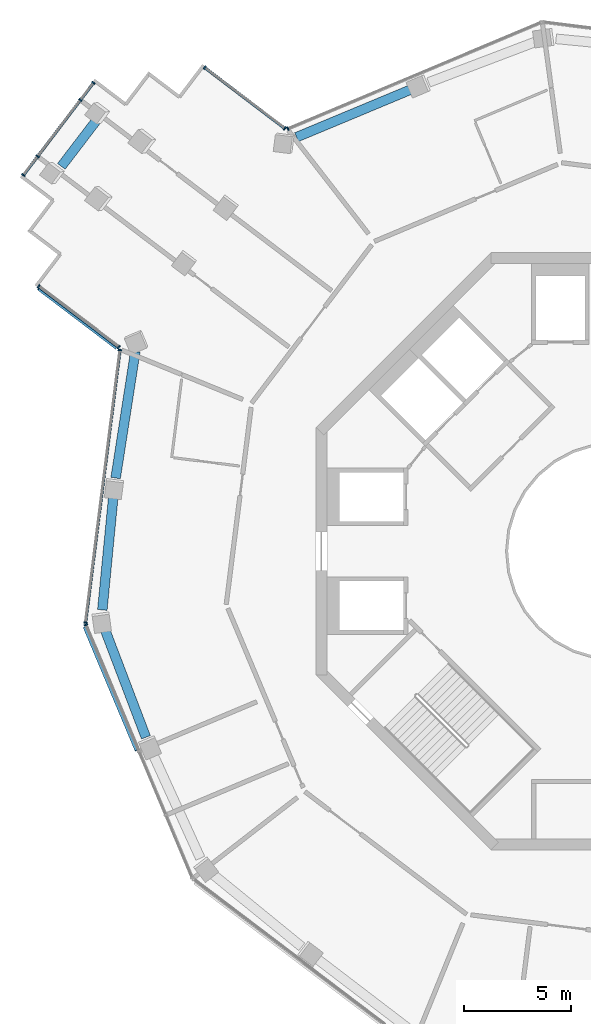
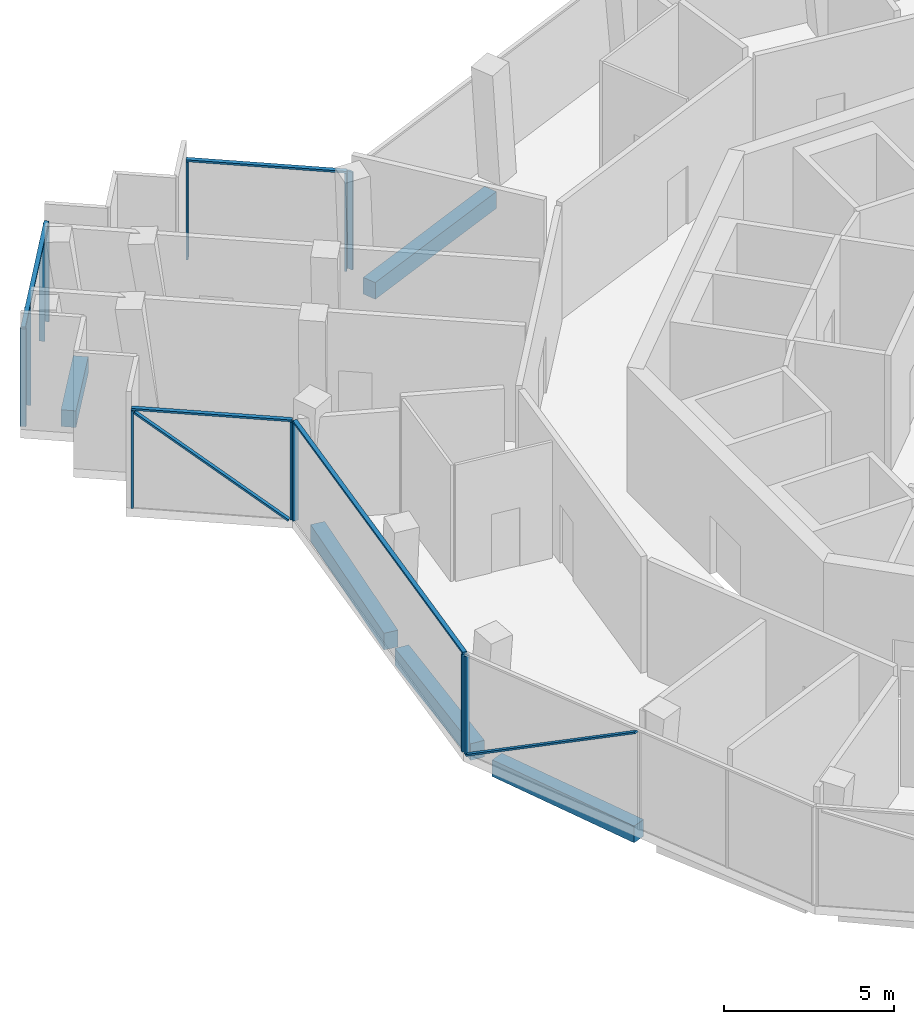
# One storey, part 5 of 18: 18 members, 5 beams, 6 elements without a shape of their own.
"""IFC4 building model written with IfcOpenShell, lengths in metres."""

from ifc_helpers import new_model, si_unit, direction, frame, origin, origin_2d, place, context, subcontext, project, spatial, rectangle, extrude, material, layer, layer_set, material_profile, profile_set, type_object, element, aggregate, save


model = new_model("IFC4")

# Units and contexts
model_context = context("Model", 3, precision=1e-05, world=origin(), true_north=direction((0.0, 1.0)))
body_context = subcontext(model_context, "Body", "Model", "MODEL_VIEW")
ifc_project = project(units=[si_unit("LENGTHUNIT", "METRE"), si_unit("AREAUNIT", "SQUARE_METRE"), si_unit("VOLUMEUNIT", "CUBIC_METRE"), si_unit("PLANEANGLEUNIT", "RADIAN"), si_unit("MASSUNIT", "GRAM", prefix="KILO")], contexts=[model_context])

# Site, building, storey
site_placement = place(None, origin())
site = spatial("IfcSite", under=ifc_project, at=site_placement, CompositionType="ELEMENT")
building_placement = place(site_placement, origin())
building = spatial("IfcBuilding", under=site, at=building_placement, Name="Verdalira Terraces Hotel", CompositionType="ELEMENT")
storey_placement = place(building_placement, frame((0.0, 0.0, 248.0)))
storey = spatial("IfcBuildingStorey", under=building, at=storey_placement, Name="L61", CompositionType="ELEMENT", Elevation=248.0)

# Curtain wall, members
ifc_material_1 = material(Name="Clear glass", Category="glass")
ifc_layer = layer(ifc_material_1, 0.179931640625)
ifc_layer_set = layer_set([ifc_layer], Name="CW4 curtain wall")
curtain_wall_type = type_object("IfcCurtainWallType", Name="CW4 curtain wall", PredefinedType="NOTDEFINED", material=ifc_layer_set)
curtain_wall_1_placement = place(storey_placement, origin())
curtain_wall_1 = element("IfcCurtainWall", 1, at=curtain_wall_1_placement, inside=storey, type_object=curtain_wall_type, Name="CW4 curtain wall L61 edge 0", PredefinedType="NOTDEFINED")
ifc_material_2 = material(Name="Terracotta frame", Category="masonry")
ifc_material_profile_1 = material_profile(ifc_material_2, rectangle(XDim=0.064941, YDim=0.179932, at=origin_2d()), Name="MU 65x180")
ifc_profile_set_1 = profile_set([ifc_material_profile_1], Name="Terracotta frame")
member_type_1 = type_object("IfcMemberType", Name="CW4 mullion 65x180", PredefinedType="MULLION", material=ifc_profile_set_1)
member_1_placement = place(storey_placement, frame((-15.468506, 19.826416, 0.0), z_axis=(0.0, 0.0, 1.0), x_axis=(-0.796529918, 0.604599115, 0.0)))
member_1 = element("IfcMember", 2, at=member_1_placement, type_object=member_type_1, Name="CW4 mullion", PredefinedType="MULLION", context=body_context, shape_type="SweptSolid", body=[
    extrude(rectangle(XDim=0.064941, YDim=0.179932, at=origin_2d()), origin(), (0.0, 0.0, 1.0), 3.52002),
])
member_2_placement = place(storey_placement, frame((-19.223877, 22.676758, 0.0), z_axis=(0.0, 0.0, 1.0), x_axis=(-0.796529918, 0.604599115, 0.0)))
member_2 = element("IfcMember", 3, at=member_2_placement, type_object=member_type_1, Name="CW4 mullion", PredefinedType="MULLION", context=body_context, shape_type="SweptSolid", body=[
    extrude(rectangle(XDim=0.064941, YDim=0.179932, at=origin_2d()), origin(), (0.0, 0.0, 1.0), 3.52002),
])

curtain_wall_2_placement = place(storey_placement, origin())
curtain_wall_2 = element("IfcCurtainWall", 4, at=curtain_wall_2_placement, inside=storey, type_object=curtain_wall_type, Name="CW4 curtain wall L61 edge 5", PredefinedType="NOTDEFINED")
member_3_placement = place(storey_placement, frame((-24.439697, 21.962402, 0.0), z_axis=(0.0, 0.0, 1.0), x_axis=(-0.604599115, -0.796529918, 0.0)))
member_3 = element("IfcMember", 5, at=member_3_placement, type_object=member_type_1, Name="CW4 mullion", PredefinedType="MULLION", context=body_context, shape_type="SweptSolid", body=[
    extrude(rectangle(XDim=0.064941, YDim=0.179932, at=origin_2d()), origin(), (0.0, 0.0, 1.0), 3.52002),
])
member_4_placement = place(storey_placement, frame((-25.052246, 21.155273, 0.0), z_axis=(0.0, 0.0, 1.0), x_axis=(-0.604599115, -0.796529918, 0.0)))
member_4 = element("IfcMember", 6, at=member_4_placement, type_object=member_type_1, Name="CW4 mullion", PredefinedType="MULLION", context=body_context, shape_type="SweptSolid", body=[
    extrude(rectangle(XDim=0.064941, YDim=0.179932, at=origin_2d()), origin(), (0.0, 0.0, 1.0), 3.52002),
])
member_5_placement = place(storey_placement, frame((-27.056396, 18.515137, 0.0), z_axis=(0.0, 0.0, 1.0), x_axis=(-0.604599115, -0.796529918, 0.0)))
member_5 = element("IfcMember", 7, at=member_5_placement, type_object=member_type_1, Name="CW4 mullion", PredefinedType="MULLION", context=body_context, shape_type="SweptSolid", body=[
    extrude(rectangle(XDim=0.064941, YDim=0.179932, at=origin_2d()), origin(), (0.0, 0.0, 1.0), 3.52002),
])
member_6_placement = place(storey_placement, frame((-27.725586, 17.633301, 0.0), z_axis=(0.0, 0.0, 1.0), x_axis=(-0.604599115, -0.796529918, 0.0)))
member_6 = element("IfcMember", 8, at=member_6_placement, type_object=member_type_1, Name="CW4 mullion", PredefinedType="MULLION", context=body_context, shape_type="SweptSolid", body=[
    extrude(rectangle(XDim=0.064941, YDim=0.179932, at=origin_2d()), origin(), (0.0, 0.0, 1.0), 3.52002),
])

curtain_wall_3_placement = place(storey_placement, origin())
curtain_wall_3 = element("IfcCurtainWall", 9, at=curtain_wall_3_placement, inside=storey, type_object=curtain_wall_type, Name="CW4 curtain wall L61 edge 10", PredefinedType="NOTDEFINED")
member_7_placement = place(storey_placement, frame((-27.01123, 12.41748, 0.0), z_axis=(0.0, 0.0, 1.0), x_axis=(0.796529918, -0.604599115, 0.0)))
member_7 = element("IfcMember", 10, at=member_7_placement, type_object=member_type_1, Name="CW4 mullion", PredefinedType="MULLION", context=body_context, shape_type="SweptSolid", body=[
    extrude(rectangle(XDim=0.064941, YDim=0.179932, at=origin_2d()), origin(), (0.0, 0.0, 1.0), 3.52002),
])
member_8_placement = place(storey_placement, frame((-23.255859, 9.567139, 0.0), z_axis=(0.0, 0.0, 1.0), x_axis=(0.796529918, -0.604599115, 0.0)))
member_8 = element("IfcMember", 11, at=member_8_placement, type_object=member_type_1, Name="CW4 mullion", PredefinedType="MULLION", context=body_context, shape_type="SweptSolid", body=[
    extrude(rectangle(XDim=0.064941, YDim=0.179932, at=origin_2d()), origin(), (0.0, 0.0, 1.0), 3.52002),
])

curtain_wall_4_placement = place(storey_placement, origin())
curtain_wall_4 = element("IfcCurtainWall", 12, at=curtain_wall_4_placement, inside=storey, type_object=curtain_wall_type, Name="CW4 curtain wall L61 edge 11", PredefinedType="NOTDEFINED")
member_9_placement = place(storey_placement, frame((-23.199219, 9.432129, 0.0), z_axis=(0.0, 0.0, 1.0), x_axis=(-0.125333234, -0.992114701, 0.0)))
member_9 = element("IfcMember", 13, at=member_9_placement, type_object=member_type_1, Name="CW4 mullion", PredefinedType="MULLION", context=body_context, shape_type="SweptSolid", body=[
    extrude(rectangle(XDim=0.064941, YDim=0.179932, at=origin_2d()), origin(), (0.0, 0.0, 1.0), 3.52002),
])
member_10_placement = place(storey_placement, frame((-24.812988, -3.34375, 0.0), z_axis=(0.0, 0.0, 1.0), x_axis=(-0.125333234, -0.992114701, 0.0)))
member_10 = element("IfcMember", 14, at=member_10_placement, type_object=member_type_1, Name="CW4 mullion", PredefinedType="MULLION", context=body_context, shape_type="SweptSolid", body=[
    extrude(rectangle(XDim=0.064941, YDim=0.179932, at=origin_2d()), origin(), (0.0, 0.0, 1.0), 3.52002),
])

# Curtain wall, member
curtain_wall_5_placement = place(storey_placement, origin())
curtain_wall_5 = element("IfcCurtainWall", 15, at=curtain_wall_5_placement, inside=storey, type_object=curtain_wall_type, Name="CW4 curtain wall L61 edge 12", PredefinedType="NOTDEFINED")
member_11_placement = place(storey_placement, frame((-24.79834, -3.452148, 0.0), z_axis=(0.0, 0.0, 1.0), x_axis=(0.387515586, -0.921863152, 0.0)))
member_11 = element("IfcMember", 16, at=member_11_placement, type_object=member_type_1, Name="CW4 mullion", PredefinedType="MULLION", context=body_context, shape_type="SweptSolid", body=[
    extrude(rectangle(XDim=0.064941, YDim=0.179932, at=origin_2d()), origin(), (0.0, 0.0, 1.0), 3.52002),
])

curtain_wall_6_placement = place(storey_placement, origin())
curtain_wall_6 = element("IfcCurtainWall", 17, at=curtain_wall_6_placement, inside=storey, type_object=curtain_wall_type, Name="CW4 curtain wall L61 edge 41", PredefinedType="NOTDEFINED")
member_12_placement = place(storey_placement, frame((-15.323486, 19.808105, 0.0), z_axis=(0.0, 0.0, 1.0), x_axis=(-0.921863152, -0.387515586, 0.0)))
member_12 = element("IfcMember", 18, at=member_12_placement, type_object=member_type_1, Name="CW4 mullion", PredefinedType="MULLION", context=body_context, shape_type="SweptSolid", body=[
    extrude(rectangle(XDim=0.064941, YDim=0.179932, at=origin_2d()), origin(), (0.0, 0.0, 1.0), 3.52002),
])
aggregate(curtain_wall_6, [member_12])

# Member
ifc_material_3 = material(Name="Terracotta frame", Category="masonry")
ifc_material_profile_2 = material_profile(ifc_material_3, rectangle(XDim=0.139893, YDim=0.070068, at=origin_2d()), Name="TR 70x140")
ifc_profile_set_2 = profile_set([ifc_material_profile_2], Name="Terracotta frame")
member_type_2 = type_object("IfcMemberType", Name="CW4 transom 70x140", PredefinedType="USERDEFINED", material=ifc_profile_set_2)
member_13_placement = place(storey_placement, frame((-15.442627, 19.806641, 3.554932), z_axis=(-0.796517378, 0.604615635, 0.0), x_axis=(-0.604615635, -0.796517378, 0.0)))
member_13 = element("IfcMember", 19, at=member_13_placement, type_object=member_type_2, Name="CW4 transom", ObjectType="TRANSOM", PredefinedType="USERDEFINED", context=body_context, shape_type="SweptSolid", body=[
    extrude(rectangle(XDim=0.139893, YDim=0.070068, at=origin_2d()), origin(), (0.0, 0.0, 1.0), 4.779785),
])

aggregate(curtain_wall_1, [member_1, member_2, member_13])

member_14_placement = place(storey_placement, frame((-24.419922, 21.988281, 3.554932), z_axis=(-0.604620594, -0.796513614, 0.0), x_axis=(0.796513614, -0.604620594, 0.0)))
member_14 = element("IfcMember", 20, at=member_14_placement, type_object=member_type_2, Name="CW4 transom", ObjectType="TRANSOM", PredefinedType="USERDEFINED", context=body_context, shape_type="SweptSolid", body=[
    extrude(rectangle(XDim=0.139893, YDim=0.070068, at=origin_2d()), origin(), (0.0, 0.0, 1.0), 5.5),
])

aggregate(curtain_wall_2, [member_3, member_4, member_5, member_6, member_14])

member_15_placement = place(storey_placement, frame((-27.037109, 12.437256, 3.554932), z_axis=(0.796517378, -0.604615635, 0.0), x_axis=(0.604615635, 0.796517378, 0.0)))
member_15 = element("IfcMember", 21, at=member_15_placement, type_object=member_type_2, Name="CW4 transom", ObjectType="TRANSOM", PredefinedType="USERDEFINED", context=body_context, shape_type="SweptSolid", body=[
    extrude(rectangle(XDim=0.139893, YDim=0.070068, at=origin_2d()), origin(), (0.0, 0.0, 1.0), 4.779785),
])

member_16_placement = place(storey_placement, frame((-23.195068, 9.464355, 3.554932), z_axis=(-0.125330127, -0.992115094, 0.0), x_axis=(0.992115094, -0.125330127, 0.0)))
member_16 = element("IfcMember", 22, at=member_16_placement, type_object=member_type_2, Name="CW4 transom", ObjectType="TRANSOM", PredefinedType="USERDEFINED", context=body_context, shape_type="SweptSolid", body=[
    extrude(rectangle(XDim=0.139893, YDim=0.070068, at=origin_2d()), origin(), (0.0, 0.0, 1.0), 12.942383),
])

aggregate(curtain_wall_4, [member_9, member_10, member_16])

ifc_material_4 = material(Name="Terracotta frame", Category="masonry")
ifc_material_profile_3 = material_profile(ifc_material_4, rectangle(XDim=0.149902, YDim=0.060059, at=origin_2d()), Name="GB 60x150")
ifc_profile_set_3 = profile_set([ifc_material_profile_3], Name="Terracotta frame")
member_type_3 = type_object("IfcMemberType", Name="Diagonal glazing bar 60x150", PredefinedType="USERDEFINED", material=ifc_profile_set_3)
member_17_placement = place(storey_placement, frame((-27.015137, 12.303711, 3.494873), z_axis=(0.635090702, -0.48203019, -0.603578244), x_axis=(0.604575329, 0.796547972, 0.0)))
member_17 = element("IfcMember", 23, at=member_17_placement, type_object=member_type_3, Name="Diagonal glazing bar", ObjectType="GLAZING BAR", PredefinedType="USERDEFINED", context=body_context, shape_type="SweptSolid", body=[
    extrude(rectangle(XDim=0.149902, YDim=0.060059, at=origin_2d()), origin(), (0.0, 0.0, 1.0), 5.748535),
])

aggregate(curtain_wall_3, [member_7, member_8, member_15, member_17])

member_18_placement = place(storey_placement, frame((-24.852295, -3.563477, 0.0271), z_axis=(0.339066998, -0.806639775, 0.484113462), x_axis=(0.921868516, 0.387502824, 0.0)))
member_18 = element("IfcMember", 24, at=member_18_placement, type_object=member_type_3, Name="Diagonal glazing bar", ObjectType="GLAZING BAR", PredefinedType="USERDEFINED", context=body_context, shape_type="SweptSolid", body=[
    extrude(rectangle(XDim=0.149902, YDim=0.060059, at=origin_2d()), origin(), (0.0, 0.0, 1.0), 7.158691),
])

aggregate(curtain_wall_5, [member_11, member_18])

# Beams
ifc_material_5 = material(Name="Concrete C40", Category="concrete")
ifc_material_profile_4 = material_profile(ifc_material_5, rectangle(XDim=0.449951, YDim=0.600098, at=origin_2d()), Name="RC 450X600")
ifc_profile_set_4 = profile_set([ifc_material_profile_4], Name="Concrete C40")
beam_type = type_object("IfcBeamType", Name="Spandrel beam RC 450X600 C40", PredefinedType="SPANDREL", material=ifc_profile_set_4)
beam_1_placement = place(storey_placement, frame((-24.239502, 20.2771, -0.610107), z_axis=(-0.606982443, -0.794715241, 0.0), x_axis=(0.794715241, -0.606982443, 0.0)))
element("IfcBeam", 25, at=beam_1_placement, inside=storey, type_object=beam_type, Name="Spandrel beam B01", PredefinedType="SPANDREL", context=body_context, shape_type="SweptSolid", body=[
    extrude(rectangle(XDim=0.449951, YDim=0.600098, at=origin_2d()), origin(), (0.0, 0.0, 1.0), 2.810303),
])
beam_2_placement = place(storey_placement, frame((-22.477051, 9.361816, -0.610107), z_axis=(-0.153897711, -0.988086785, 0.0), x_axis=(0.988086785, -0.153897711, 0.0)))
element("IfcBeam", 26, at=beam_2_placement, inside=storey, type_object=beam_type, Name="Spandrel beam B02", PredefinedType="SPANDREL", context=body_context, shape_type="SweptSolid", body=[
    extrude(rectangle(XDim=0.449951, YDim=0.600098, at=origin_2d()), origin(), (0.0, 0.0, 1.0), 5.999756),
])
beam_3_placement = place(storey_placement, frame((-23.50293, 2.61792, -0.610107), z_axis=(-0.096622135, -0.995321136, 0.0), x_axis=(0.995321136, -0.096622135, 0.0)))
element("IfcBeam", 27, at=beam_3_placement, inside=storey, type_object=beam_type, Name="Spandrel beam B03", PredefinedType="SPANDREL", context=body_context, shape_type="SweptSolid", body=[
    extrude(rectangle(XDim=0.449951, YDim=0.600098, at=origin_2d()), origin(), (0.0, 0.0, 1.0), 5.394531),
])
beam_4_placement = place(storey_placement, frame((-23.897949, -3.678711, -0.610107), z_axis=(0.355259663, -0.934767657, 0.0), x_axis=(0.934767657, 0.355259663, 0.0)))
element("IfcBeam", 28, at=beam_4_placement, inside=storey, type_object=beam_type, Name="Spandrel beam B04", PredefinedType="SPANDREL", context=body_context, shape_type="SweptSolid", body=[
    extrude(rectangle(XDim=0.449951, YDim=0.600098, at=origin_2d()), origin(), (0.0, 0.0, 1.0), 5.396729),
])
beam_5_placement = place(storey_placement, frame((-9.478271, 21.679932, -0.610107), z_axis=(-0.922989867, -0.384824253, 0.0), x_axis=(0.384824253, -0.922989867, 0.0)))
element("IfcBeam", 29, at=beam_5_placement, inside=storey, type_object=beam_type, Name="Spandrel beam B23", PredefinedType="SPANDREL", context=body_context, shape_type="SweptSolid", body=[
    extrude(rectangle(XDim=0.449951, YDim=0.600098, at=origin_2d()), origin(), (0.0, 0.0, 1.0), 5.892578),
])

save(model, "model.ifc")
